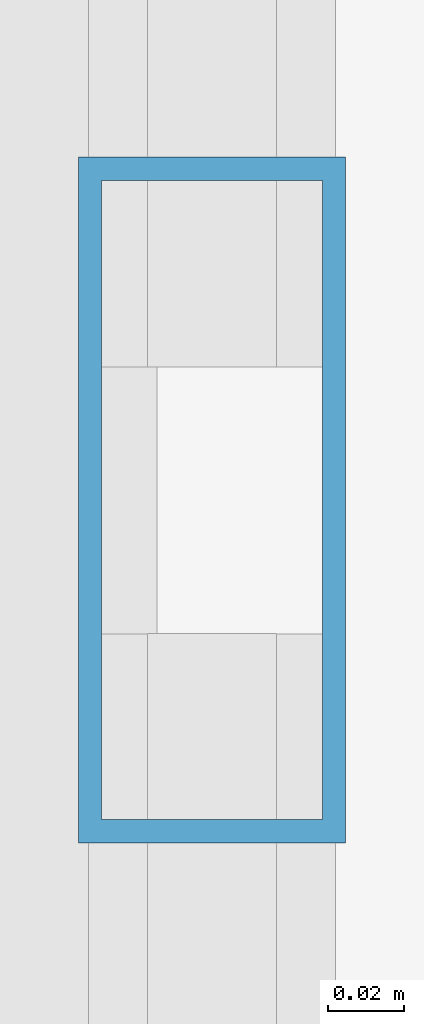
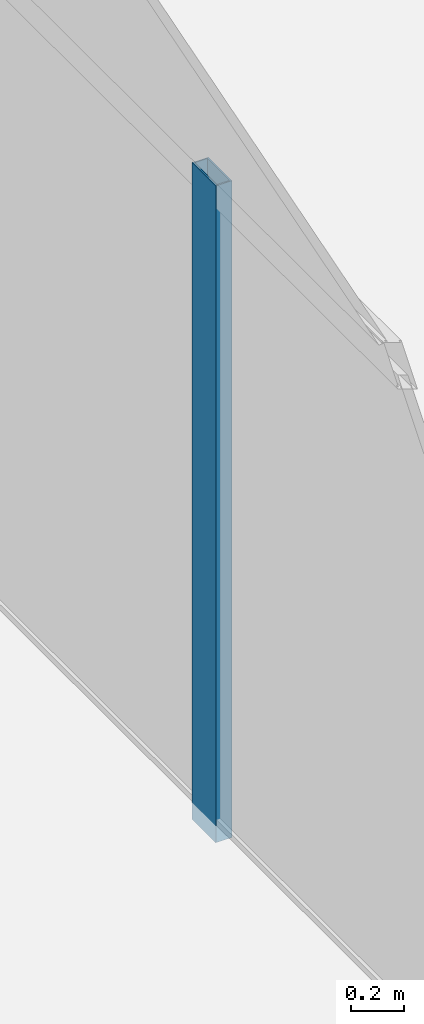
# One storey, part 19 of 32: 1 member, 1 element without a shape of its own.
"""IFC4 building model written with IfcOpenShell, lengths in metres."""

from ifc_helpers import new_model, si_unit, direction, frame, origin, origin_2d, place, context, subcontext, project, spatial, hollow_rectangle, extrude, source, transform, mapped, material, layer, layer_set, material_profile, profile_set, type_object, element, aggregate, save


model = new_model("IFC4")

# Units and contexts
model_context = context("Model", 3, precision=1e-05, world=origin(), true_north=direction((0.0, 1.0)))
body_context = subcontext(model_context, "Body", "Model", "MODEL_VIEW")
ifc_project = project(units=[si_unit("LENGTHUNIT", "METRE"), si_unit("AREAUNIT", "SQUARE_METRE"), si_unit("VOLUMEUNIT", "CUBIC_METRE"), si_unit("PLANEANGLEUNIT", "RADIAN"), si_unit("MASSUNIT", "GRAM", prefix="KILO")], contexts=[model_context])

# Site, building, storey
site_placement = place(None, origin())
site = spatial("IfcSite", under=ifc_project, at=site_placement, CompositionType="ELEMENT")
building_placement = place(site_placement, origin())
building = spatial("IfcBuilding", under=site, at=building_placement, Name="Sumidabori Civic Tower", CompositionType="ELEMENT")
storey_placement = place(building_placement, frame((0.0, 0.0, 298.199951171875)))
storey = spatial("IfcBuildingStorey", under=building, at=storey_placement, Name="RF Roof Crown", CompositionType="ELEMENT", Elevation=298.199951171875)

# Curtain wall, member
ifc_material = material(Name="Anodised Bronze Aluminium AW-6063-T6", Category="aluminium")
ifc_layer = layer(ifc_material, 0.179931640625, Name="Anodised Bronze Aluminium AW-6063-T6")
ifc_layer_set = layer_set([ifc_layer], Name="Anodised Bronze Aluminium AW-6063-T6")
curtain_wall_type = type_object("IfcCurtainWallType", Name="CW-SYS-6", PredefinedType="NOTDEFINED", material=ifc_layer_set)
curtain_wall_placement = place(storey_placement, origin())
curtain_wall = element("IfcCurtainWall", 1, at=curtain_wall_placement, inside=storey, type_object=curtain_wall_type, Name="Glass-Point Crown East Cheek Curtain Wall", PredefinedType="NOTDEFINED")
ifc_material_profile = material_profile(ifc_material, hollow_rectangle(XDim=0.070068359375, YDim=0.179931640625, WallThickness=0.006103515625, at=origin_2d()), Name="ALU MULLION 180x70")
ifc_profile_set = profile_set([ifc_material_profile], Name="Anodised Bronze Aluminium AW-6063-T6")
member_type = type_object("IfcMemberType", Name="CW-MUL-180", PredefinedType="MULLION", material=ifc_profile_set)
shared_shape = source(origin(), body_context, "Body", "SweptSolid", [
    extrude(hollow_rectangle(XDim=0.070068359375, YDim=0.179931640625, WallThickness=0.006103515625, at=origin_2d()), origin(), (0.0, 0.0, 1.0), 3.050048828125),
])
member_placement = place(storey_placement, frame((16.60009765625, 14.35009765625, 0.0), z_axis=(0.0, 0.0, 1.0), x_axis=(-1.0, 0.0, 0.0)))
member = element("IfcMember", 2, at=member_placement, type_object=member_type, Name="CW-6 mullion 4", PredefinedType="MULLION", context=body_context, shape_type="MappedRepresentation", body=[
    mapped(shared_shape, transform((0.0, 0.0, 0.0), x_axis=(1.0, 0.0, 0.0), y_axis=(0.0, 1.0, 0.0), z_axis=(0.0, 0.0, 1.0), scale=1.0)),
])
aggregate(curtain_wall, [member])

save(model, "model.ifc")
